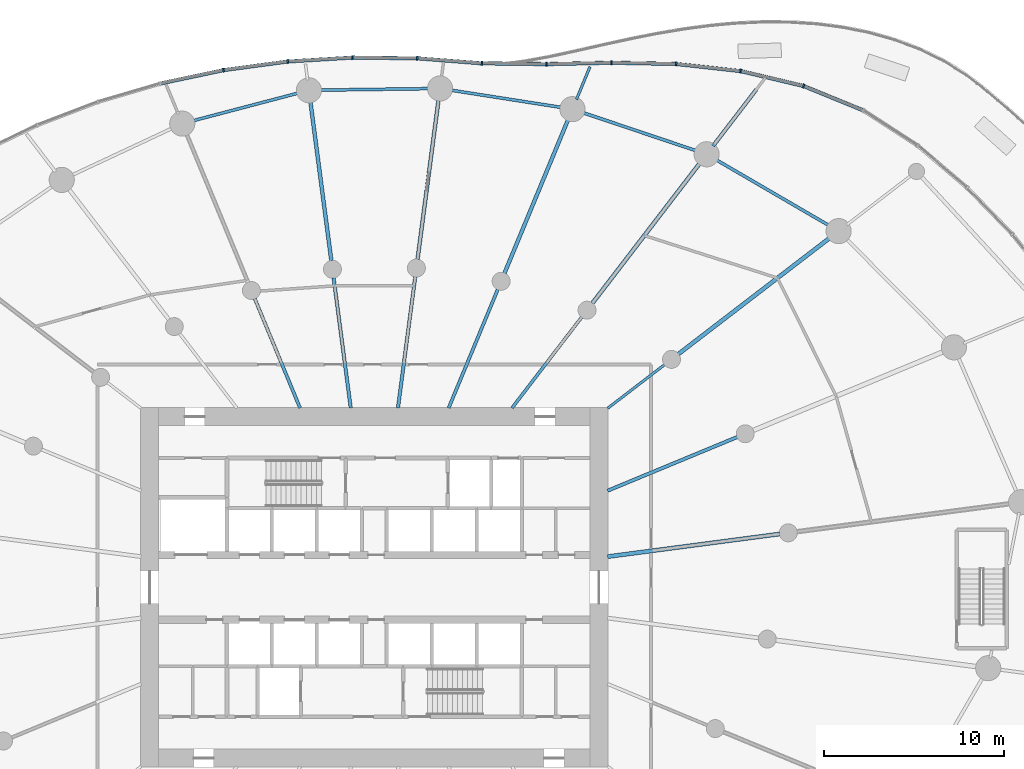
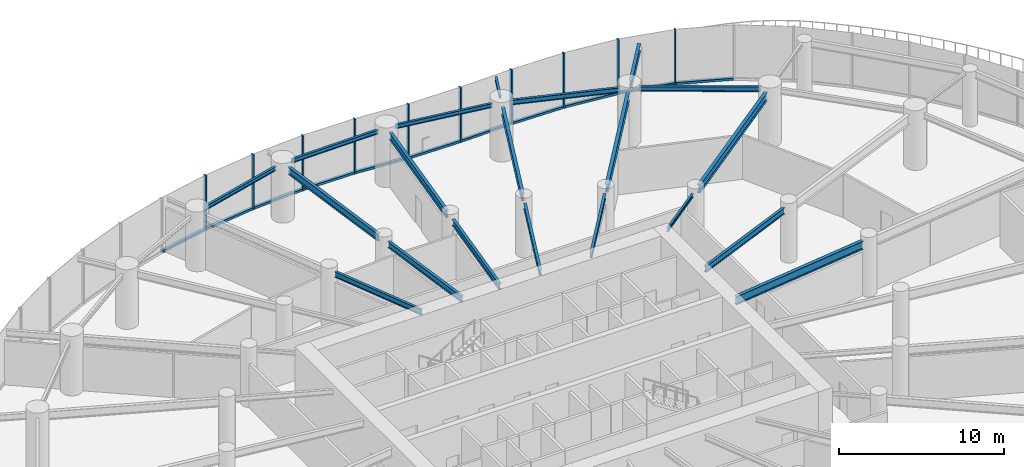
# One storey, part 5 of 19: 21 members, 20 beams, 3 elements without a shape of their own.
"""IFC4 building model written with IfcOpenShell, lengths in metres."""

import ifcopenshell
import ifcopenshell.guid

model = None  # the IFC model being written
_history = None  # IfcOwnerHistory: only IFC2X3 demands one
_inside = {}  # id of a spatial element -> (the spatial element, [elements in it])
_under = {}  # id of a project, library or spatial element -> (it, [spatial elements below it])
_declared = {}  # id of a project -> (the project, [libraries it declares])
_typed = {}  # id of a type object -> (the type object, [elements of that type])
_made_of = {}  # id of a material, layer set ... -> (it, [elements and type objects made of it])


def new_model(schema):
    """Start an empty IFC model of exactly this schema.

    Asked for "IFC4X3", IfcOpenShell would pick the latest addendum, in which some entities
    have other attributes; the version numbers below select the first issue.
    IFC2X3 requires an IfcOwnerHistory on every rooted entity: one is made here for all.
    """
    global model, _history
    if schema == "IFC4X3":
        model = ifcopenshell.file(schema_version=(4, 3, 0, 0))
    else:
        model = ifcopenshell.file(schema=schema)
    _inside.clear()
    _under.clear()
    _declared.clear()
    _typed.clear()
    _made_of.clear()
    _history = None
    if model.schema == "IFC2X3":
        org = make("IfcOrganization", Name="unknown")
        user = make(
            "IfcPersonAndOrganization",
            ThePerson=make("IfcPerson", FamilyName="unknown"),
            TheOrganization=org,
        )
        app = make(
            "IfcApplication",
            ApplicationDeveloper=org,
            Version="unknown",
            ApplicationFullName="unknown",
            ApplicationIdentifier="unknown",
        )
        _history = make(
            "IfcOwnerHistory",
            OwningUser=user,
            OwningApplication=app,
            ChangeAction="ADDED",
            CreationDate=0,
        )
    return model


def make(cls, **values):
    """One entity of the class cls with the attributes given. An attribute that is None is left unset."""
    return model.create_entity(
        cls, **{name: value for name, value in values.items() if value is not None}
    )


def rooted(cls, **values):
    """An entity with a GlobalId (a new one), such as an element, a storey or a relation."""
    return make(cls, GlobalId=ifcopenshell.guid.new(), OwnerHistory=_history, **values)


def si_unit(unit_type, name, prefix=None):
    """IfcSIUnit, for example si_unit("LENGTHUNIT", "METRE", prefix="MILLI")."""
    return make("IfcSIUnit", UnitType=unit_type, Prefix=prefix, Name=name)


def assignment(units):
    """IfcUnitAssignment: the units of a project."""
    return None if units is None else make("IfcUnitAssignment", Units=units)


def point(xyz):
    """IfcCartesianPoint."""
    return None if xyz is None else make("IfcCartesianPoint", Coordinates=xyz)


def direction(xyz):
    """IfcDirection."""
    return None if xyz is None else make("IfcDirection", DirectionRatios=xyz)


def frame(location, z_axis=None, x_axis=None):
    """IfcAxis2Placement3D, a coordinate frame: its origin and axes. An axis left out is left unset."""
    return make(
        "IfcAxis2Placement3D",
        Location=point(location),
        Axis=direction(z_axis),
        RefDirection=direction(x_axis),
    )


def frame_2d(location, x_axis=None):
    """IfcAxis2Placement2D, a coordinate frame in the plane: its origin and x axis."""
    return make(
        "IfcAxis2Placement2D", Location=point(location), RefDirection=direction(x_axis)
    )


def origin():
    """The frame at (0, 0, 0) with its axes left unset."""
    return frame((0.0, 0.0, 0.0))


def origin_2d():
    """The frame at (0, 0) in the plane with its x axis left unset."""
    return frame_2d((0.0, 0.0))


def place(relative_to, where):
    """IfcLocalPlacement: puts the frame where relative to a parent placement (None: the world)."""
    return make(
        "IfcLocalPlacement", PlacementRelTo=relative_to, RelativePlacement=where
    )


def context(
    kind, dimensions, precision=None, world=None, true_north=None, identifier=None
):
    """IfcGeometricRepresentationContext, for example the 3D "Model" context."""
    return make(
        "IfcGeometricRepresentationContext",
        ContextIdentifier=identifier,
        ContextType=kind,
        CoordinateSpaceDimension=dimensions,
        Precision=precision,
        WorldCoordinateSystem=world,
        TrueNorth=true_north,
    )


def subcontext(parent, identifier, kind, view, scale=None):
    """IfcGeometricRepresentationSubContext, for example "Body" below "Model"."""
    return make(
        "IfcGeometricRepresentationSubContext",
        ContextIdentifier=identifier,
        ContextType=kind,
        ParentContext=parent,
        TargetScale=scale,
        TargetView=view,
    )


def project(units=None, contexts=None):
    """IfcProject with its units and contexts."""
    return rooted(
        "IfcProject",
        Name="project",
        RepresentationContexts=contexts,
        UnitsInContext=assignment(units),
    )


def spatial(cls, under=None, at=None, **own):
    """A site, building, storey or space (cls), placed at a placement, below another one or the project."""
    s = rooted(cls, ObjectPlacement=at, **own)
    if under is not None:
        _under.setdefault(under.id(), (under, []))[1].append(s)
    return s


def profile(cls, at=None, kind="AREA", **sizes):
    """A parametric profile (cls). Its sizes go by their IFC names, for example OverallWidth=200.0."""
    return make(cls, ProfileType=kind, Position=at, **sizes)


def rectangle(**sizes):
    """IfcRectangleProfileDef."""
    return profile("IfcRectangleProfileDef", **sizes)


def i_section(**sizes):
    """IfcIShapeProfileDef."""
    return profile("IfcIShapeProfileDef", **sizes)


def extrude(swept, where, along, depth):
    """IfcExtrudedAreaSolid: the profile swept, set in the frame where, extruded along a direction by depth."""
    return make(
        "IfcExtrudedAreaSolid",
        SweptArea=swept,
        Position=where,
        ExtrudedDirection=direction(along),
        Depth=depth,
    )


def shape(context_of_items, identifier, shape_type, items):
    """IfcShapeRepresentation: the items that make up one representation, for example the "Body"."""
    return make(
        "IfcShapeRepresentation",
        ContextOfItems=context_of_items,
        RepresentationIdentifier=identifier,
        RepresentationType=shape_type,
        Items=items,
    )


def source(mapping_origin, context_of_items, identifier, shape_type, items):
    """IfcRepresentationMap: a shape defined once, which mapped items show again and again."""
    return make(
        "IfcRepresentationMap",
        MappingOrigin=mapping_origin,
        MappedRepresentation=shape(context_of_items, identifier, shape_type, items),
    )


def transform(
    local_origin,
    x_axis=None,
    y_axis=None,
    z_axis=None,
    scale=None,
    scale2=None,
    scale3=None,
    uniform=True,
):
    """IfcCartesianTransformationOperator3D, or its non-uniform kind. x_axis, y_axis, z_axis: its Axis1, 2, 3."""
    if uniform:
        return make(
            "IfcCartesianTransformationOperator3D",
            Axis1=direction(x_axis),
            Axis2=direction(y_axis),
            LocalOrigin=point(local_origin),
            Scale=scale,
            Axis3=direction(z_axis),
        )
    return make(
        "IfcCartesianTransformationOperator3DnonUniform",
        Axis1=direction(x_axis),
        Axis2=direction(y_axis),
        LocalOrigin=point(local_origin),
        Scale=scale,
        Axis3=direction(z_axis),
        Scale2=scale2,
        Scale3=scale3,
    )


def mapped(mapping_source, mapping_target):
    """IfcMappedItem: shows the shape of a source again, moved by a transform."""
    return make(
        "IfcMappedItem", MappingSource=mapping_source, MappingTarget=mapping_target
    )


def material(Name=None, Category=None):
    """IfcMaterial."""
    return make("IfcMaterial", Name=Name, Category=Category)


def layer(
    of_material, thickness, ventilated=None, Name=None, Category=None, Priority=None
):
    """IfcMaterialLayer: one layer of a wall or slab, of a material (None: an air gap)."""
    return make(
        "IfcMaterialLayer",
        Material=of_material,
        LayerThickness=thickness,
        IsVentilated=ventilated,
        Name=Name,
        Category=Category,
        Priority=Priority,
    )


def layer_set(layers, Name=None):
    """IfcMaterialLayerSet."""
    return make("IfcMaterialLayerSet", MaterialLayers=layers, LayerSetName=Name)


def material_profile(
    of_material, cross_section, Name=None, Category=None, Priority=None
):
    """IfcMaterialProfile: a cross section and its material."""
    return make(
        "IfcMaterialProfile",
        Name=Name,
        Material=of_material,
        Profile=cross_section,
        Priority=Priority,
        Category=Category,
    )


def profile_set(profiles, Name=None, composite=None):
    """IfcMaterialProfileSet."""
    return make(
        "IfcMaterialProfileSet",
        Name=Name,
        MaterialProfiles=profiles,
        CompositeProfile=composite,
    )


def made_of(thing, what):
    """Note that an element or type object is made of a material, layer set ...; save() writes the relation."""
    if what is not None:
        _made_of.setdefault(what.id(), (what, []))[1].append(thing)
    return thing


def type_object(cls, material=None, **own):
    """A type object (cls), such as IfcWallType, which elements share."""
    return made_of(rooted(cls, **own), material)


def element(
    cls,
    number,
    at=None,
    inside=None,
    cuts=None,
    type_object=None,
    material=None,
    context=None,
    identifier="Body",
    shape_type=None,
    held_by="IfcProductDefinitionShape",
    body=None,
    shapes=None,
    **own,
):
    """One element of the class cls, such as IfcWall. Its Tag is "e" and its number.

    at: its placement. inside: the storey or other place that contains it. cuts: it is an
    opening in that element (IfcRelVoidsElement). A single representation is given by context,
    identifier, shape_type and body (its items); several are given by shapes. held_by: the class
    of the entity that holds the representations. save() writes the other relations.
    """
    e = rooted(cls, Tag="e%d" % number, ObjectPlacement=at, **own)
    if body is not None:
        shapes = [shape(context, identifier, shape_type, body)]
    if shapes is not None:
        e.Representation = make(held_by, Representations=shapes)
    if inside is not None:
        _inside.setdefault(inside.id(), (inside, []))[1].append(e)
    if cuts is not None:
        rooted(
            "IfcRelVoidsElement", RelatingBuildingElement=cuts, RelatedOpeningElement=e
        )
    if type_object is not None:
        _typed.setdefault(type_object.id(), (type_object, []))[1].append(e)
    return made_of(e, material)


def aggregate(whole, parts):
    """IfcRelAggregates: a whole, such as a stair, and the parts it consists of."""
    return rooted("IfcRelAggregates", RelatingObject=whole, RelatedObjects=parts)


def save(model, path):
    """Write the relations noted so far, then the file.

    IfcRelAggregates (storeys below a building ...), IfcRelContainedInSpatialStructure (elements
    in a storey), IfcRelDefinesByType, IfcRelAssociatesMaterial and IfcRelDeclares: one each for
    every whole, place, type object, material and project.
    """
    for whole, parts in _under.values():
        aggregate(whole, parts)
    for where, things in _inside.values():
        rooted(
            "IfcRelContainedInSpatialStructure",
            RelatedElements=things,
            RelatingStructure=where,
        )
    for kind, things in _typed.values():
        rooted("IfcRelDefinesByType", RelatedObjects=things, RelatingType=kind)
    for what, things in _made_of.values():
        rooted("IfcRelAssociatesMaterial", RelatedObjects=things, RelatingMaterial=what)
    for by, libraries in _declared.values():
        rooted("IfcRelDeclares", RelatingContext=by, RelatedDefinitions=libraries)
    model.write(path)


model = new_model("IFC4")

# Units and contexts
model_context = context("Model", 3, precision=1e-05, world=origin(), true_north=direction((0.0, 1.0)))
body_context = subcontext(model_context, "Body", "Model", "MODEL_VIEW")
ifc_project = project(units=[si_unit("LENGTHUNIT", "METRE"), si_unit("AREAUNIT", "SQUARE_METRE"), si_unit("VOLUMEUNIT", "CUBIC_METRE"), si_unit("PLANEANGLEUNIT", "RADIAN"), si_unit("MASSUNIT", "GRAM", prefix="KILO")], contexts=[model_context])

# Site, building, storey
site_placement = place(None, origin())
site = spatial("IfcSite", under=ifc_project, at=site_placement, CompositionType="ELEMENT")
building_placement = place(site_placement, origin())
building = spatial("IfcBuilding", under=site, at=building_placement, Name="Spindrift Exchange Tower", CompositionType="ELEMENT")
storey_placement = place(building_placement, frame((0.0, 0.0, 13.800048828125)))
storey = spatial("IfcBuildingStorey", under=building, at=storey_placement, Name="L03", CompositionType="ELEMENT", Elevation=13.800048828125)

# Beams
ifc_material_1 = material(Name="Steel Grade 300", Category="steel")
ifc_material_profile_1 = material_profile(ifc_material_1, i_section(OverallWidth=0.22802734375, OverallDepth=0.60693359375, WebThickness=0.01123046875, FlangeThickness=0.017333984375, FilletRadius=0.013916015625, at=origin_2d()), Name="610UB113")
ifc_profile_set_1 = profile_set([ifc_material_profile_1], Name="Steel Grade 300")
beam_type_1 = type_object("IfcBeamType", Name="Floor Beam 610UB113 Steel Grade 300", PredefinedType="BEAM", material=ifc_profile_set_1)
shared_shape_1 = source(origin(), body_context, "Body", "SweptSolid", [
    extrude(i_section(OverallWidth=0.22802734375, OverallDepth=0.60693359375, WebThickness=0.01123046875, FlangeThickness=0.017333984375, FilletRadius=0.013916015625, at=origin_2d()), origin(), (0.0, 0.0, 1.0), 9.660400390625),
])
beam_1_placement = place(storey_placement, frame((64.980224609375, 49.708984375, 3.746337890625), z_axis=(0.99144767089, 0.130504850054, 0.0), x_axis=(-0.130504850054, 0.99144767089, 0.0)))
element("IfcBeam", 1, at=beam_1_placement, inside=storey, type_object=beam_type_1, Name="L03 radial beam R01A", PredefinedType="BEAM", context=body_context, shape_type="MappedRepresentation", body=[
    mapped(shared_shape_1, transform((0.0, 0.0, 0.0), scale=1.0)),
])
ifc_material_profile_2 = material_profile(ifc_material_1, i_section(OverallWidth=0.18994140625, OverallDepth=0.45703125, WebThickness=0.009033203125, FlangeThickness=0.014404296875, FilletRadius=0.013916015625, at=origin_2d()), Name="460UB74.6")
ifc_profile_set_2 = profile_set([ifc_material_profile_2], Name="Steel Grade 300")
beam_type_2 = type_object("IfcBeamType", Name="Floor Beam 460UB74.6 Steel Grade 300", PredefinedType="BEAM", material=ifc_profile_set_2)
shared_shape_2 = source(origin(), body_context, "Body", "SweptSolid", [
    extrude(i_section(OverallWidth=0.18994140625, OverallDepth=0.45703125, WebThickness=0.009033203125, FlangeThickness=0.014404296875, FilletRadius=0.013916015625, at=origin_2d()), origin(), (0.0, 0.0, 1.0), 7.808837890625),
])
beam_2_placement = place(storey_placement, frame((64.9814453125, 53.377197265625, 3.821533203125), z_axis=(0.92387965154, 0.382683145003, 0.0), x_axis=(-0.382683145003, 0.92387965154, 0.0)))
element("IfcBeam", 2, at=beam_2_placement, inside=storey, type_object=beam_type_2, Name="L03 radial beam R02A", PredefinedType="BEAM", context=body_context, shape_type="MappedRepresentation", body=[
    mapped(shared_shape_2, transform((0.0, 0.0, 0.0), scale=1.0)),
])
ifc_material_profile_3 = material_profile(ifc_material_1, i_section(OverallWidth=0.14599609375, OverallDepth=0.251953125, WebThickness=0.006103515625, FlangeThickness=0.008544921875, FilletRadius=0.011962890625, at=origin_2d()), Name="250UB31.4")
ifc_profile_set_3 = profile_set([ifc_material_profile_3], Name="Steel Grade 300")
beam_type_3 = type_object("IfcBeamType", Name="Floor Beam 250UB31.4 Steel Grade 300", PredefinedType="BEAM", material=ifc_profile_set_3)
shared_shape_3 = source(origin(), body_context, "Body", "SweptSolid", [
    extrude(i_section(OverallWidth=0.14599609375, OverallDepth=0.251953125, WebThickness=0.006103515625, FlangeThickness=0.008544921875, FilletRadius=0.011962890625, at=origin_2d()), origin(), (0.0, 0.0, 1.0), 3.99560546875),
])
beam_3_placement = place(storey_placement, frame((64.984130859375, 57.963134765625, 3.924072265625), z_axis=(0.793352561574, 0.608762443851, 0.0), x_axis=(-0.608762443851, 0.793352561574, 0.0)))
element("IfcBeam", 3, at=beam_3_placement, inside=storey, type_object=beam_type_3, Name="L03 radial beam R03A", PredefinedType="BEAM", context=body_context, shape_type="MappedRepresentation", body=[
    mapped(shared_shape_3, transform((0.0, 0.0, 0.0), scale=1.0)),
])
shared_shape_4 = source(origin(), body_context, "Body", "SweptSolid", [
    extrude(i_section(OverallWidth=0.22802734375, OverallDepth=0.60693359375, WebThickness=0.01123046875, FlangeThickness=0.017333984375, FilletRadius=0.013916015625, at=origin_2d()), origin(), (0.0, 0.0, 1.0), 10.66357421875),
])
beam_4_placement = place(storey_placement, frame((68.91552734375, 60.979736328125, 3.746337890625), z_axis=(0.793357926757, 0.608755451764, 0.0), x_axis=(-0.608755451764, 0.793357926757, 0.0)))
element("IfcBeam", 4, at=beam_4_placement, inside=storey, type_object=beam_type_1, Name="L03 radial beam R03B", PredefinedType="BEAM", context=body_context, shape_type="MappedRepresentation", body=[
    mapped(shared_shape_4, transform((0.0, 0.0, 0.0), scale=1.0)),
])
ifc_material_profile_4 = material_profile(ifc_material_1, i_section(OverallWidth=0.172119140625, OverallDepth=0.35888671875, WebThickness=0.008056640625, FlangeThickness=0.012939453125, FilletRadius=0.013916015625, at=origin_2d()), Name="360UB56.7")
ifc_profile_set_4 = profile_set([ifc_material_profile_4], Name="Steel Grade 300")
beam_type_4 = type_object("IfcBeamType", Name="Floor Beam 360UB56.7 Steel Grade 300", PredefinedType="BEAM", material=ifc_profile_set_4)
shared_shape_5 = source(origin(), body_context, "Body", "SweptSolid", [
    extrude(i_section(OverallWidth=0.172119140625, OverallDepth=0.35888671875, WebThickness=0.008056640625, FlangeThickness=0.012939453125, FilletRadius=0.013916015625, at=origin_2d()), origin(), (0.0, 0.0, 1.0), 6.37646484375),
])
beam_5_placement = place(storey_placement, frame((59.6611328125, 57.984130859375, 3.870361328125), z_axis=(0.608766669952, 0.793349318747, 0.0), x_axis=(-0.793349318747, 0.608766669952, 0.0)))
element("IfcBeam", 5, at=beam_5_placement, inside=storey, type_object=beam_type_4, Name="L03 radial beam R04A", PredefinedType="BEAM", context=body_context, shape_type="MappedRepresentation", body=[
    mapped(shared_shape_5, transform((0.0, 0.0, 0.0), scale=1.0)),
])
shared_shape_6 = source(origin(), body_context, "Body", "SweptSolid", [
    extrude(i_section(OverallWidth=0.22802734375, OverallDepth=0.60693359375, WebThickness=0.01123046875, FlangeThickness=0.017333984375, FilletRadius=0.013916015625, at=origin_2d()), origin(), (0.0, 0.0, 1.0), 9.87548828125),
])
beam_6_placement = place(storey_placement, frame((64.127197265625, 63.8046875, 3.746337890625), z_axis=(0.608772470836, 0.793344867477, 0.0), x_axis=(-0.793344867477, 0.608772470836, 0.0)))
element("IfcBeam", 6, at=beam_6_placement, inside=storey, type_object=beam_type_1, Name="L03 radial beam R04B", PredefinedType="BEAM", context=body_context, shape_type="MappedRepresentation", body=[
    mapped(shared_shape_6, transform((0.0, 0.0, 0.0), scale=1.0)),
])
ifc_material_profile_5 = material_profile(ifc_material_1, i_section(OverallWidth=0.177978515625, OverallDepth=0.406005859375, WebThickness=0.0078125, FlangeThickness=0.0126953125, FilletRadius=0.013916015625, at=origin_2d()), Name="410UB59.7")
ifc_profile_set_5 = profile_set([ifc_material_profile_5], Name="Steel Grade 300")
beam_type_5 = type_object("IfcBeamType", Name="Floor Beam 410UB59.7 Steel Grade 300", PredefinedType="BEAM", material=ifc_profile_set_5)
shared_shape_7 = source(origin(), body_context, "Body", "SweptSolid", [
    extrude(i_section(OverallWidth=0.177978515625, OverallDepth=0.406005859375, WebThickness=0.0078125, FlangeThickness=0.0126953125, FilletRadius=0.013916015625, at=origin_2d()), origin(), (0.0, 0.0, 1.0), 7.150634765625),
])
beam_7_placement = place(storey_placement, frame((56.134521484375, 57.9814453125, 3.846923828125), z_axis=(0.382665393358, 0.923887004306, 0.0), x_axis=(-0.923887004306, 0.382665393358, 0.0)))
element("IfcBeam", 7, at=beam_7_placement, inside=storey, type_object=beam_type_5, Name="L03 radial beam R05A", PredefinedType="BEAM", context=body_context, shape_type="MappedRepresentation", body=[
    mapped(shared_shape_7, transform((0.0, 0.0, 0.0), scale=1.0)),
])
ifc_material_profile_6 = material_profile(ifc_material_1, i_section(OverallWidth=0.208984375, OverallDepth=0.532958984375, WebThickness=0.01025390625, FlangeThickness=0.015625, FilletRadius=0.013916015625, at=origin_2d()), Name="530UB92.4")
ifc_profile_set_6 = profile_set([ifc_material_profile_6], Name="Steel Grade 300")
beam_type_6 = type_object("IfcBeamType", Name="Floor Beam 530UB92.4 Steel Grade 300", PredefinedType="BEAM", material=ifc_profile_set_6)
shared_shape_8 = source(origin(), body_context, "Body", "SweptSolid", [
    extrude(i_section(OverallWidth=0.208984375, OverallDepth=0.532958984375, WebThickness=0.01025390625, FlangeThickness=0.015625, FilletRadius=0.013916015625, at=origin_2d()), origin(), (0.0, 0.0, 1.0), 9.309326171875),
])
beam_8_placement = place(storey_placement, frame((59.23828125, 65.474853515625, 3.783447265625), z_axis=(0.382685326691, 0.923878747853, 0.0), x_axis=(-0.923878747853, 0.382685326691, 0.0)))
element("IfcBeam", 8, at=beam_8_placement, inside=storey, type_object=beam_type_6, Name="L03 radial beam R05B", PredefinedType="BEAM", context=body_context, shape_type="MappedRepresentation", body=[
    mapped(shared_shape_8, transform((0.0, 0.0, 0.0), scale=1.0)),
])
shared_shape_9 = source(origin(), body_context, "Body", "SweptSolid", [
    extrude(i_section(OverallWidth=0.18994140625, OverallDepth=0.45703125, WebThickness=0.009033203125, FlangeThickness=0.014404296875, FilletRadius=0.013916015625, at=origin_2d()), origin(), (0.0, 0.0, 1.0), 7.374267578125),
])
beam_9_placement = place(storey_placement, frame((53.31396484375, 57.980224609375, 3.821533203125), z_axis=(0.130539295622, 0.99144313619, 0.0), x_axis=(-0.99144313619, 0.130539295622, 0.0)))
element("IfcBeam", 9, at=beam_9_placement, inside=storey, type_object=beam_type_2, Name="L03 radial beam R06A", PredefinedType="BEAM", context=body_context, shape_type="MappedRepresentation", body=[
    mapped(shared_shape_9, transform((0.0, 0.0, 0.0), scale=1.0)),
])
shared_shape_10 = source(origin(), body_context, "Body", "SweptSolid", [
    extrude(i_section(OverallWidth=0.208984375, OverallDepth=0.532958984375, WebThickness=0.01025390625, FlangeThickness=0.015625, FilletRadius=0.013916015625, at=origin_2d()), origin(), (0.0, 0.0, 1.0), 9.020263671875),
])
beam_10_placement = place(storey_placement, frame((54.40185546875, 66.2431640625, 3.783447265625), z_axis=(0.13051122338, 0.991446831944, 0.0), x_axis=(-0.991446831944, 0.13051122338, 0.0)))
element("IfcBeam", 10, at=beam_10_placement, inside=storey, type_object=beam_type_6, Name="L03 radial beam R06B", PredefinedType="BEAM", context=body_context, shape_type="MappedRepresentation", body=[
    mapped(shared_shape_10, transform((0.0, 0.0, 0.0), scale=1.0)),
])
shared_shape_11 = source(origin(), body_context, "Body", "SweptSolid", [
    extrude(i_section(OverallWidth=0.18994140625, OverallDepth=0.45703125, WebThickness=0.009033203125, FlangeThickness=0.014404296875, FilletRadius=0.013916015625, at=origin_2d()), origin(), (0.0, 0.0, 1.0), 7.3095703125),
])
beam_11_placement = place(storey_placement, frame((50.68603515625, 57.980224609375, 3.821533203125), z_axis=(-0.130527087244, 0.991444743541, 0.0), x_axis=(-0.991444743541, -0.130527087244, 0.0)))
element("IfcBeam", 11, at=beam_11_placement, inside=storey, type_object=beam_type_2, Name="L03 radial beam R07A", PredefinedType="BEAM", context=body_context, shape_type="MappedRepresentation", body=[
    mapped(shared_shape_11, transform((0.0, 0.0, 0.0), scale=1.0)),
])
shared_shape_12 = source(origin(), body_context, "Body", "SweptSolid", [
    extrude(i_section(OverallWidth=0.208984375, OverallDepth=0.532958984375, WebThickness=0.01025390625, FlangeThickness=0.015625, FilletRadius=0.013916015625, at=origin_2d()), origin(), (0.0, 0.0, 1.0), 8.98388671875),
])
beam_12_placement = place(storey_placement, frame((49.606689453125, 66.17919921875, 3.783447265625), z_axis=(-0.130524106785, 0.991445135924, 0.0), x_axis=(-0.991445135924, -0.130524106785, 0.0)))
element("IfcBeam", 12, at=beam_12_placement, inside=storey, type_object=beam_type_6, Name="L03 radial beam R07B", PredefinedType="BEAM", context=body_context, shape_type="MappedRepresentation", body=[
    mapped(shared_shape_12, transform((0.0, 0.0, 0.0), scale=1.0)),
])
shared_shape_13 = source(origin(), body_context, "Body", "SweptSolid", [
    extrude(i_section(OverallWidth=0.177978515625, OverallDepth=0.406005859375, WebThickness=0.0078125, FlangeThickness=0.0126953125, FilletRadius=0.013916015625, at=origin_2d()), origin(), (0.0, 0.0, 1.0), 6.594482421875),
])
beam_13_placement = place(storey_placement, frame((47.865478515625, 57.9814453125, 3.846923828125), z_axis=(-0.382692929746, 0.92387559851, 0.0), x_axis=(-0.92387559851, -0.382692929746, 0.0)))
element("IfcBeam", 13, at=beam_13_placement, inside=storey, type_object=beam_type_5, Name="L03 radial beam R08A", PredefinedType="BEAM", context=body_context, shape_type="MappedRepresentation", body=[
    mapped(shared_shape_13, transform((0.0, 0.0, 0.0), scale=1.0)),
])
ifc_material_profile_7 = material_profile(ifc_material_1, i_section(OverallWidth=0.172119140625, OverallDepth=0.35888671875, WebThickness=0.008056640625, FlangeThickness=0.012939453125, FilletRadius=0.013916015625, at=origin_2d()), Name="360UB56.7")
ifc_profile_set_7 = profile_set([ifc_material_profile_7], Name="Steel Grade 300")
beam_type_7 = type_object("IfcBeamType", Name="Edge Beam 360UB56.7 Steel Grade 300", PredefinedType="SPANDREL", material=ifc_profile_set_7)
shared_shape_14 = source(origin(), body_context, "Body", "SweptSolid", [
    extrude(i_section(OverallWidth=0.172119140625, OverallDepth=0.35888671875, WebThickness=0.008056640625, FlangeThickness=0.012939453125, FilletRadius=0.013916015625, at=origin_2d()), origin(), (0.0, 0.0, 1.0), 7.33740234375),
])
beam_14_placement = place(storey_placement, frame((77.33447265625, 68.1162109375, 3.870361328125), z_axis=(-0.864211826308, 0.503128134047, 0.0), x_axis=(-0.503128134047, -0.864211826308, 0.0)))
element("IfcBeam", 14, at=beam_14_placement, inside=storey, type_object=beam_type_7, Name="L03 edge beam E03", PredefinedType="SPANDREL", context=body_context, shape_type="MappedRepresentation", body=[
    mapped(shared_shape_14, transform((0.0, 0.0, 0.0), scale=1.0)),
])
shared_shape_15 = source(origin(), body_context, "Body", "SweptSolid", [
    extrude(i_section(OverallWidth=0.172119140625, OverallDepth=0.35888671875, WebThickness=0.008056640625, FlangeThickness=0.012939453125, FilletRadius=0.013916015625, at=origin_2d()), origin(), (0.0, 0.0, 1.0), 6.72021484375),
])
beam_15_placement = place(storey_placement, frame((69.9423828125, 72.28466796875, 3.870361328125), z_axis=(-0.947851749681, 0.318711563372, 0.0), x_axis=(-0.318711563372, -0.947851749681, 0.0)))
element("IfcBeam", 15, at=beam_15_placement, inside=storey, type_object=beam_type_7, Name="L03 edge beam E04", PredefinedType="SPANDREL", context=body_context, shape_type="MappedRepresentation", body=[
    mapped(shared_shape_15, transform((0.0, 0.0, 0.0), scale=1.0)),
])
ifc_material_profile_8 = material_profile(ifc_material_1, i_section(OverallWidth=0.1650390625, OverallDepth=0.303955078125, WebThickness=0.006103515625, FlangeThickness=0.01025390625, FilletRadius=0.011474609375, at=origin_2d()), Name="310UB40.4")
ifc_profile_set_8 = profile_set([ifc_material_profile_8], Name="Steel Grade 300")
beam_type_8 = type_object("IfcBeamType", Name="Edge Beam 310UB40.4 Steel Grade 300", PredefinedType="SPANDREL", material=ifc_profile_set_8)
shared_shape_16 = source(origin(), body_context, "Body", "SweptSolid", [
    extrude(i_section(OverallWidth=0.1650390625, OverallDepth=0.303955078125, WebThickness=0.006103515625, FlangeThickness=0.01025390625, FilletRadius=0.011474609375, at=origin_2d()), origin(), (0.0, 0.0, 1.0), 6.297119140625),
])
beam_16_placement = place(storey_placement, frame((62.44970703125, 74.70068359375, 3.89794921875), z_axis=(-0.98802902915, 0.154268070436, 0.0), x_axis=(-0.154268070436, -0.98802902915, 0.0)))
element("IfcBeam", 16, at=beam_16_placement, inside=storey, type_object=beam_type_8, Name="L03 edge beam E05", PredefinedType="SPANDREL", context=body_context, shape_type="MappedRepresentation", body=[
    mapped(shared_shape_16, transform((0.0, 0.0, 0.0), scale=1.0)),
])
shared_shape_17 = source(origin(), body_context, "Body", "SweptSolid", [
    extrude(i_section(OverallWidth=0.1650390625, OverallDepth=0.303955078125, WebThickness=0.006103515625, FlangeThickness=0.01025390625, FilletRadius=0.011474609375, at=origin_2d()), origin(), (0.0, 0.0, 1.0), 6.13720703125),
])
beam_17_placement = place(storey_placement, frame((55.074951171875, 75.75341796875, 3.89794921875), z_axis=(-0.999905820907, -0.013724041543, 0.0), x_axis=(0.013724041543, -0.999905820907, 0.0)))
element("IfcBeam", 17, at=beam_17_placement, inside=storey, type_object=beam_type_8, Name="L03 edge beam E06", PredefinedType="SPANDREL", context=body_context, shape_type="MappedRepresentation", body=[
    mapped(shared_shape_17, transform((0.0, 0.0, 0.0), scale=1.0)),
])
shared_shape_18 = source(origin(), body_context, "Body", "SweptSolid", [
    extrude(i_section(OverallWidth=0.1650390625, OverallDepth=0.303955078125, WebThickness=0.006103515625, FlangeThickness=0.01025390625, FilletRadius=0.011474609375, at=origin_2d()), origin(), (0.0, 0.0, 1.0), 6.128173828125),
])
beam_18_placement = place(storey_placement, frame((47.79736328125, 75.513916015625, 3.89794921875), z_axis=(-0.967147261855, -0.254216785216, 0.0), x_axis=(0.254216785216, -0.967147261855, 0.0)))
element("IfcBeam", 18, at=beam_18_placement, inside=storey, type_object=beam_type_8, Name="L03 edge beam E07", PredefinedType="SPANDREL", context=body_context, shape_type="MappedRepresentation", body=[
    mapped(shared_shape_18, transform((0.0, 0.0, 0.0), scale=1.0)),
])
ifc_material_profile_9 = material_profile(ifc_material_1, i_section(OverallWidth=0.208984375, OverallDepth=0.532958984375, WebThickness=0.01025390625, FlangeThickness=0.015625, FilletRadius=0.013916015625, at=origin_2d()), Name="530UB92.4")
ifc_profile_set_9 = profile_set([ifc_material_profile_9], Name="Steel Grade 300")
beam_type_9 = type_object("IfcBeamType", Name="Cantilever Beam 530UB92.4 Steel Grade 300", PredefinedType="BEAM", material=ifc_profile_set_9)
shared_shape_19 = source(origin(), body_context, "Body", "SweptSolid", [
    extrude(i_section(OverallWidth=0.208984375, OverallDepth=0.532958984375, WebThickness=0.01025390625, FlangeThickness=0.015625, FilletRadius=0.013916015625, at=origin_2d()), origin(), (0.0, 0.0, 1.0), 3.949951171875),
])
beam_19_placement = place(storey_placement, frame((70.845458984375, 72.559814453125, 3.783447265625), z_axis=(0.608745509316, 0.793365555648, 0.0), x_axis=(-0.793365555648, 0.608745509316, 0.0)))
element("IfcBeam", 19, at=beam_19_placement, inside=storey, type_object=beam_type_9, Name="L03 cantilever beam R04T", PredefinedType="BEAM", context=body_context, shape_type="MappedRepresentation", body=[
    mapped(shared_shape_19, transform((0.0, 0.0, 0.0), scale=1.0)),
])
ifc_material_profile_10 = material_profile(ifc_material_1, i_section(OverallWidth=0.14599609375, OverallDepth=0.251953125, WebThickness=0.006103515625, FlangeThickness=0.008544921875, FilletRadius=0.011962890625, at=origin_2d()), Name="250UB31.4")
ifc_profile_set_10 = profile_set([ifc_material_profile_10], Name="Steel Grade 300")
beam_type_10 = type_object("IfcBeamType", Name="Cantilever Beam 250UB31.4 Steel Grade 300", PredefinedType="BEAM", material=ifc_profile_set_10)
shared_shape_20 = source(origin(), body_context, "Body", "SweptSolid", [
    extrude(i_section(OverallWidth=0.14599609375, OverallDepth=0.251953125, WebThickness=0.006103515625, FlangeThickness=0.008544921875, FilletRadius=0.011962890625, at=origin_2d()), origin(), (0.0, 0.0, 1.0), 1.970703125),
])
beam_20_placement = place(storey_placement, frame((63.244873046875, 75.147216796875, 3.924072265625), z_axis=(0.38255603597, 0.923932291536, 0.0), x_axis=(-0.923932291536, 0.38255603597, 0.0)))
element("IfcBeam", 20, at=beam_20_placement, inside=storey, type_object=beam_type_10, Name="L03 cantilever beam R05T", PredefinedType="BEAM", context=body_context, shape_type="MappedRepresentation", body=[
    mapped(shared_shape_20, transform((0.0, 0.0, 0.0), scale=1.0)),
])

# Curtain wall, members
ifc_material_2 = material(Name="Fritted laminated glass with bronze frame", Category="glass")
ifc_layer = layer(ifc_material_2, 0.219970703125)
ifc_layer_set = layer_set([ifc_layer], Name="PODIUM BRONZE GLAZED WALL")
curtain_wall_type = type_object("IfcCurtainWallType", Name="PODIUM BRONZE GLAZED WALL", PredefinedType="NOTDEFINED", material=ifc_layer_set)
curtain_wall_1_placement = place(storey_placement, origin())
curtain_wall_1 = element("IfcCurtainWall", 21, at=curtain_wall_1_placement, inside=storey, type_object=curtain_wall_type, Name="L03 Podium Bronze Glazed Wall run 2", PredefinedType="NOTDEFINED")
ifc_material_3 = material(Name="Bronze anodised aluminium", Category="aluminium")
ifc_material_profile_11 = material_profile(ifc_material_3, rectangle(XDim=0.199951171875, YDim=0.159912109375, at=origin_2d()), Name="PODIUM BRONZE GLAZED WALL TRANSOM 200X160")
ifc_profile_set_11 = profile_set([ifc_material_profile_11], Name="Bronze anodised aluminium")
member_type_1 = type_object("IfcMemberType", Name="PODIUM BRONZE GLAZED WALL TRANSOM 200X160", PredefinedType="USERDEFINED", material=ifc_profile_set_11)
shared_shape_21 = source(origin(), body_context, "Body", "SweptSolid", [
    extrude(rectangle(XDim=0.199951171875, YDim=0.159912109375, at=origin_2d()), origin(), (0.0, 0.0, 1.0), 3.511962890625),
])
member_1_placement = place(storey_placement, frame((79.177978515625, 74.553466796875, 0.079833984375), z_axis=(-0.925645481875, 0.378391915723, 0.0), x_axis=(-0.378391915723, -0.925645481875, 0.0)))
member_1 = element("IfcMember", 22, at=member_1_placement, type_object=member_type_1, Name="L03 transom CW-P.10", ObjectType="TRANSOM", PredefinedType="USERDEFINED", context=body_context, shape_type="MappedRepresentation", body=[
    mapped(shared_shape_21, transform((0.0, 0.0, 0.0), scale=1.0)),
])
ifc_material_profile_12 = material_profile(ifc_material_3, rectangle(XDim=0.090087890625, YDim=0.219970703125, at=origin_2d()), Name="PODIUM BRONZE GLAZED WALL MULLION 90X220")
ifc_profile_set_12 = profile_set([ifc_material_profile_12], Name="Bronze anodised aluminium")
member_type_2 = type_object("IfcMemberType", Name="PODIUM BRONZE GLAZED WALL MULLION 90X220", PredefinedType="MULLION", material=ifc_profile_set_12)
shared_shape_22 = source(origin(), body_context, "Body", "SweptSolid", [
    extrude(rectangle(XDim=0.090087890625, YDim=0.219970703125, at=origin_2d()), origin(), (0.0, 0.0, 1.0), 4.050048828125),
])
member_2_placement = place(storey_placement, frame((75.885498046875, 75.8994140625, 0.0), z_axis=(0.0, 0.0, 1.0), x_axis=(-0.952147891654, 0.305637681609, 0.0)))
member_2 = element("IfcMember", 23, at=member_2_placement, type_object=member_type_2, Name="L03 mullion CW-P.11", PredefinedType="MULLION", context=body_context, shape_type="MappedRepresentation", body=[
    mapped(shared_shape_22, transform((0.0, 0.0, 0.0), scale=1.0)),
])
member_3_placement = place(storey_placement, frame((72.379638671875, 76.73193359375, 0.0), z_axis=(0.0, 0.0, 1.0), x_axis=(-0.985335498338, 0.170628121114, 0.0)))
member_3 = element("IfcMember", 24, at=member_3_placement, type_object=member_type_2, Name="L03 mullion CW-P.12", PredefinedType="MULLION", context=body_context, shape_type="MappedRepresentation", body=[
    mapped(shared_shape_22, transform((0.0, 0.0, 0.0), scale=1.0)),
])

curtain_wall_2_placement = place(storey_placement, origin())
curtain_wall_2 = element("IfcCurtainWall", 25, at=curtain_wall_2_placement, inside=storey, type_object=curtain_wall_type, Name="L03 Podium Bronze Glazed Wall run 3", PredefinedType="NOTDEFINED")
member_4_placement = place(storey_placement, frame((68.796630859375, 77.126708984375, 0.0), z_axis=(0.0, 0.0, 1.0), x_axis=(-0.997910202316, 0.064616005089, 0.0)))
member_4 = element("IfcMember", 26, at=member_4_placement, type_object=member_type_2, Name="L03 mullion CW-P.13", PredefinedType="MULLION", context=body_context, shape_type="MappedRepresentation", body=[
    mapped(shared_shape_22, transform((0.0, 0.0, 0.0), scale=1.0)),
])
member_5_placement = place(storey_placement, frame((65.19140625, 77.197509765625, 0.0), z_axis=(0.0, 0.0, 1.0), x_axis=(-0.999999079636, -0.001356733861, 0.0)))
member_5 = element("IfcMember", 27, at=member_5_placement, type_object=member_type_2, Name="L03 mullion CW-P.14", PredefinedType="MULLION", context=body_context, shape_type="MappedRepresentation", body=[
    mapped(shared_shape_22, transform((0.0, 0.0, 0.0), scale=1.0)),
])
member_6_placement = place(storey_placement, frame((61.585693359375, 77.116943359375, 0.0), z_axis=(0.0, 0.0, 1.0), x_axis=(-0.999989028774, -0.004684264177, 0.0)))
member_6 = element("IfcMember", 28, at=member_6_placement, type_object=member_type_2, Name="L03 mullion CW-P.15", PredefinedType="MULLION", context=body_context, shape_type="MappedRepresentation", body=[
    mapped(shared_shape_22, transform((0.0, 0.0, 0.0), scale=1.0)),
])
member_7_placement = place(storey_placement, frame((57.980712890625, 77.16357421875, 0.0), z_axis=(0.0, 0.0, 1.0), x_axis=(-0.998981785457, 0.045115322506, 0.0)))
member_7 = element("IfcMember", 29, at=member_7_placement, type_object=member_type_2, Name="L03 mullion CW-P.16", PredefinedType="MULLION", context=body_context, shape_type="MappedRepresentation", body=[
    mapped(shared_shape_22, transform((0.0, 0.0, 0.0), scale=1.0)),
])
member_8_placement = place(storey_placement, frame((54.385498046875, 77.442138671875, 0.0), z_axis=(0.0, 0.0, 1.0), x_axis=(-0.999008546473, 0.04451880584, 0.0)))
member_8 = element("IfcMember", 30, at=member_8_placement, type_object=member_type_2, Name="L03 mullion CW-P.17", PredefinedType="MULLION", context=body_context, shape_type="MappedRepresentation", body=[
    mapped(shared_shape_22, transform((0.0, 0.0, 0.0), scale=1.0)),
])
member_9_placement = place(storey_placement, frame((50.780029296875, 77.484619140625, 0.0), z_axis=(0.0, 0.0, 1.0), x_axis=(-0.999699374412, -0.024518580704, 0.0)))
member_9 = element("IfcMember", 31, at=member_9_placement, type_object=member_type_2, Name="L03 mullion CW-P.18", PredefinedType="MULLION", context=body_context, shape_type="MappedRepresentation", body=[
    mapped(shared_shape_22, transform((0.0, 0.0, 0.0), scale=1.0)),
])

curtain_wall_3_placement = place(storey_placement, origin())
curtain_wall_3 = element("IfcCurtainWall", 32, at=curtain_wall_3_placement, inside=storey, type_object=curtain_wall_type, Name="L03 Podium Bronze Glazed Wall run 4", PredefinedType="NOTDEFINED")
member_10_placement = place(storey_placement, frame((47.180908203125, 77.265380859375, 0.0), z_axis=(0.0, 0.0, 1.0), x_axis=(-0.995270143637, -0.097145978736, 0.0)))
member_10 = element("IfcMember", 33, at=member_10_placement, type_object=member_type_2, Name="L03 mullion CW-P.19", PredefinedType="MULLION", context=body_context, shape_type="MappedRepresentation", body=[
    mapped(shared_shape_22, transform((0.0, 0.0, 0.0), scale=1.0)),
])
member_11_placement = place(storey_placement, frame((43.607421875, 76.784423828125, 0.0), z_axis=(0.0, 0.0, 1.0), x_axis=(-0.985402939563, -0.170238205762, 0.0)))
member_11 = element("IfcMember", 34, at=member_11_placement, type_object=member_type_2, Name="L03 mullion CW-P.20", PredefinedType="MULLION", context=body_context, shape_type="MappedRepresentation", body=[
    mapped(shared_shape_22, transform((0.0, 0.0, 0.0), scale=1.0)),
])

# Member
shared_shape_23 = source(origin(), body_context, "Body", "SweptSolid", [
    extrude(rectangle(XDim=0.199951171875, YDim=0.159912109375, at=origin_2d()), origin(), (0.0, 0.0, 1.0), 3.51611328125),
])
member_12_placement = place(storey_placement, frame((57.93603515625, 77.1669921875, 0.079833984375), z_axis=(-0.997009386252, 0.077280552051, 0.0), x_axis=(-0.077280552051, -0.997009386252, 0.0)))
member_12 = element("IfcMember", 35, at=member_12_placement, type_object=member_type_1, Name="L03 transom CW-P.16", ObjectType="TRANSOM", PredefinedType="USERDEFINED", context=body_context, shape_type="MappedRepresentation", body=[
    mapped(shared_shape_23, transform((0.0, 0.0, 0.0), scale=1.0)),
])

shared_shape_24 = source(origin(), body_context, "Body", "SweptSolid", [
    extrude(rectangle(XDim=0.199951171875, YDim=0.159912109375, at=origin_2d()), origin(), (0.0, 0.0, 1.0), 3.5166015625),
])
member_13_placement = place(storey_placement, frame((65.146484375, 77.1962890625, 0.079833984375), z_axis=(-0.999751633358, -0.02228613016, 0.0), x_axis=(0.02228613016, -0.999751633358, 0.0)))
member_13 = element("IfcMember", 36, at=member_13_placement, type_object=member_type_1, Name="L03 transom CW-P.14", ObjectType="TRANSOM", PredefinedType="USERDEFINED", context=body_context, shape_type="MappedRepresentation", body=[
    mapped(shared_shape_24, transform((0.0, 0.0, 0.0), scale=1.0)),
])

shared_shape_25 = source(origin(), body_context, "Body", "SweptSolid", [
    extrude(rectangle(XDim=0.199951171875, YDim=0.159912109375, at=origin_2d()), origin(), (0.0, 0.0, 1.0), 3.514892578125),
])
member_14_placement = place(storey_placement, frame((72.3349609375, 76.73681640625, 0.079833984375), z_axis=(-0.993982442956, 0.10953950472, 0.0), x_axis=(-0.10953950472, -0.993982442956, 0.0)))
member_14 = element("IfcMember", 37, at=member_14_placement, type_object=member_type_1, Name="L03 transom CW-P.12", ObjectType="TRANSOM", PredefinedType="USERDEFINED", context=body_context, shape_type="MappedRepresentation", body=[
    mapped(shared_shape_25, transform((0.0, 0.0, 0.0), scale=1.0)),
])

shared_shape_26 = source(origin(), body_context, "Body", "SweptSolid", [
    extrude(rectangle(XDim=0.199951171875, YDim=0.159912109375, at=origin_2d()), origin(), (0.0, 0.0, 1.0), 3.513427734375),
])
member_15_placement = place(storey_placement, frame((75.841796875, 75.90966796875, 0.079833984375), z_axis=(-0.972924637208, 0.231122587198, 0.0), x_axis=(-0.231122587198, -0.972924637208, 0.0)))
member_15 = element("IfcMember", 38, at=member_15_placement, type_object=member_type_1, Name="L03 transom CW-P.11", ObjectType="TRANSOM", PredefinedType="USERDEFINED", context=body_context, shape_type="MappedRepresentation", body=[
    mapped(shared_shape_26, transform((0.0, 0.0, 0.0), scale=1.0)),
])

aggregate(curtain_wall_1, [member_1, member_2, member_15, member_3, member_14])

shared_shape_27 = source(origin(), body_context, "Body", "SweptSolid", [
    extrude(rectangle(XDim=0.199951171875, YDim=0.159912109375, at=origin_2d()), origin(), (0.0, 0.0, 1.0), 3.515869140625),
])
member_16_placement = place(storey_placement, frame((68.751708984375, 77.127685546875, 0.079833984375), z_axis=(-0.999808248419, 0.019582297962, 0.0), x_axis=(-0.019582297962, -0.999808248419, 0.0)))
member_16 = element("IfcMember", 39, at=member_16_placement, type_object=member_type_1, Name="L03 transom CW-P.13", ObjectType="TRANSOM", PredefinedType="USERDEFINED", context=body_context, shape_type="MappedRepresentation", body=[
    mapped(shared_shape_27, transform((0.0, 0.0, 0.0), scale=1.0)),
])

member_17_placement = place(storey_placement, frame((54.340576171875, 77.442626953125, 0.079833984375), z_axis=(-0.999931138961, 0.01173530295, 0.0), x_axis=(-0.01173530295, -0.999931138961, 0.0)))
member_17 = element("IfcMember", 40, at=member_17_placement, type_object=member_type_1, Name="L03 transom CW-P.17", ObjectType="TRANSOM", PredefinedType="USERDEFINED", context=body_context, shape_type="MappedRepresentation", body=[
    mapped(shared_shape_27, transform((0.0, 0.0, 0.0), scale=1.0)),
])

member_18_placement = place(storey_placement, frame((50.735107421875, 77.481689453125, 0.079833984375), z_axis=(-0.99815653293, -0.060692139264, 0.0), x_axis=(0.060692139264, -0.99815653293, 0.0)))
member_18 = element("IfcMember", 41, at=member_18_placement, type_object=member_type_1, Name="L03 transom CW-P.18", ObjectType="TRANSOM", PredefinedType="USERDEFINED", context=body_context, shape_type="MappedRepresentation", body=[
    mapped(shared_shape_27, transform((0.0, 0.0, 0.0), scale=1.0)),
])

shared_shape_28 = source(origin(), body_context, "Body", "SweptSolid", [
    extrude(rectangle(XDim=0.199951171875, YDim=0.159912109375, at=origin_2d()), origin(), (0.0, 0.0, 1.0), 3.51513671875),
])
member_19_placement = place(storey_placement, frame((61.540771484375, 77.11767578125, 0.079833984375), z_axis=(-0.999916555537, 0.012918280151, 0.0), x_axis=(-0.012918280151, -0.999916555537, 0.0)))
member_19 = element("IfcMember", 42, at=member_19_placement, type_object=member_type_1, Name="L03 transom CW-P.15", ObjectType="TRANSOM", PredefinedType="USERDEFINED", context=body_context, shape_type="MappedRepresentation", body=[
    mapped(shared_shape_28, transform((0.0, 0.0, 0.0), scale=1.0)),
])

aggregate(curtain_wall_2, [member_4, member_16, member_5, member_13, member_6, member_19, member_7, member_12, member_8, member_17, member_9, member_18])

shared_shape_29 = source(origin(), body_context, "Body", "SweptSolid", [
    extrude(rectangle(XDim=0.199951171875, YDim=0.159912109375, at=origin_2d()), origin(), (0.0, 0.0, 1.0), 3.515625),
])
member_20_placement = place(storey_placement, frame((47.13623046875, 77.259521484375, 0.079833984375), z_axis=(-0.991052360588, -0.133473662466, 0.0), x_axis=(0.133473662466, -0.991052360588, 0.0)))
member_20 = element("IfcMember", 43, at=member_20_placement, type_object=member_type_1, Name="L03 transom CW-P.19", ObjectType="TRANSOM", PredefinedType="USERDEFINED", context=body_context, shape_type="MappedRepresentation", body=[
    mapped(shared_shape_29, transform((0.0, 0.0, 0.0), scale=1.0)),
])

member_21_placement = place(storey_placement, frame((43.5634765625, 76.775146484375, 0.079833984375), z_axis=(-0.978382949399, -0.20680136442, 0.0), x_axis=(0.20680136442, -0.978382949399, 0.0)))
member_21 = element("IfcMember", 44, at=member_21_placement, type_object=member_type_1, Name="L03 transom CW-P.20", ObjectType="TRANSOM", PredefinedType="USERDEFINED", context=body_context, shape_type="MappedRepresentation", body=[
    mapped(shared_shape_29, transform((0.0, 0.0, 0.0), scale=1.0)),
])

aggregate(curtain_wall_3, [member_10, member_20, member_11, member_21])

save(model, "model.ifc")
